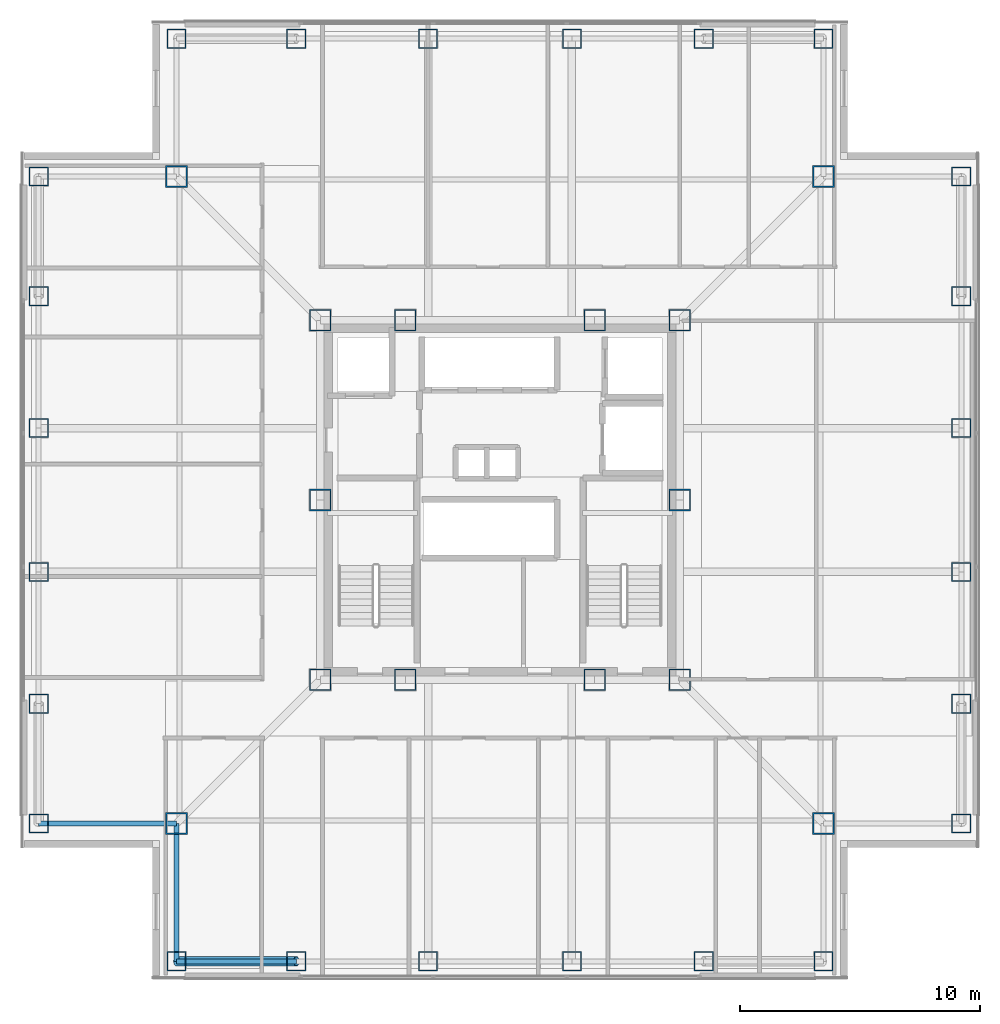
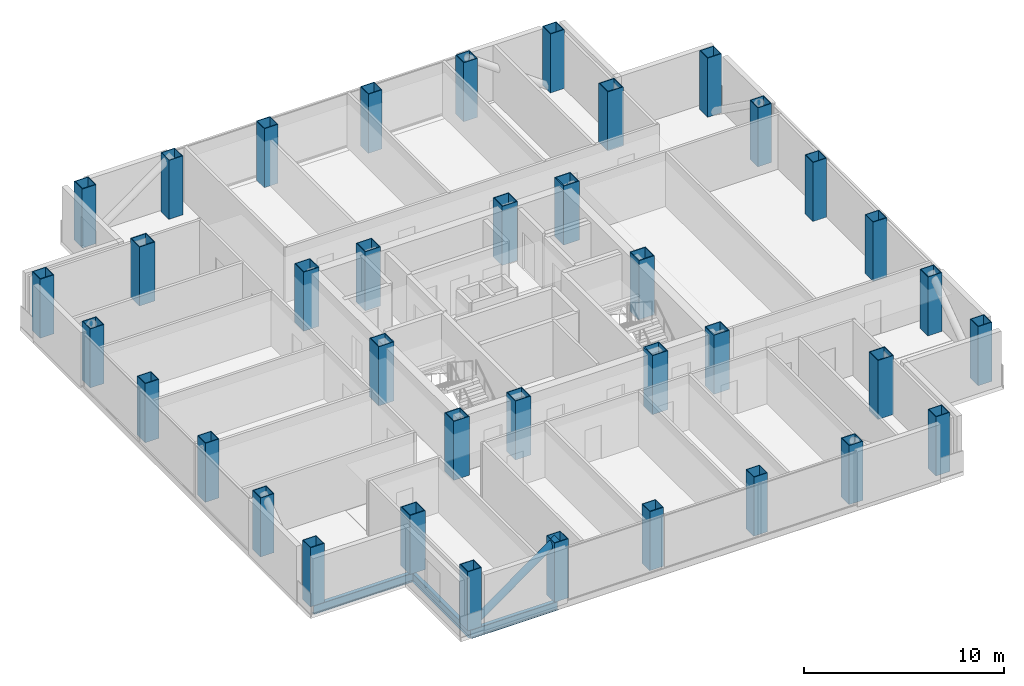
# One storey, part 1 of 17: 38 columns, 3 beams, 1 member.
"""IFC4 building model written with IfcOpenShell, lengths in metres."""

from ifc_helpers import new_model, si_unit, direction, frame, origin, origin_2d, place, context, subcontext, project, spatial, hollow_rectangle, hollow_circle, i_section, extrude, material, material_profile, profile_set, type_object, element, save


model = new_model("IFC4")

# Units and contexts
model_context = context("Model", 3, precision=1e-05, world=origin(), true_north=direction((0.0, 1.0)))
body_context = subcontext(model_context, "Body", "Model", "MODEL_VIEW")
ifc_project = project(units=[si_unit("LENGTHUNIT", "METRE"), si_unit("AREAUNIT", "SQUARE_METRE"), si_unit("VOLUMEUNIT", "CUBIC_METRE"), si_unit("PLANEANGLEUNIT", "RADIAN"), si_unit("MASSUNIT", "GRAM", prefix="KILO")], contexts=[model_context])

# Site, building, storey
site_placement = place(None, origin())
site = spatial("IfcSite", under=ifc_project, at=site_placement, CompositionType="ELEMENT")
building_placement = place(site_placement, origin())
building = spatial("IfcBuilding", under=site, at=building_placement, Name="Trevonay Congress Spire", CompositionType="ELEMENT")
storey_placement = place(building_placement, frame((0.0, 0.0, 169.800048828125)))
storey = spatial("IfcBuildingStorey", under=building, at=storey_placement, Name="L43", CompositionType="ELEMENT", Elevation=169.800048828125)

# Columns
ifc_material_1 = material(Name="Steel ASTM A572 Grade 50", Category="steel")
ifc_material_profile_1 = material_profile(ifc_material_1, hollow_rectangle(XDim=0.89990234375, YDim=0.89990234375, WallThickness=0.044921875, at=origin_2d()), Name="BOX 900x900x45")
ifc_profile_set_1 = profile_set([ifc_material_profile_1], Name="Steel ASTM A572 Grade 50")
column_type_1 = type_object("IfcColumnType", Name="COL-CORE-BOX900", PredefinedType="COLUMN", material=ifc_profile_set_1)
for number, where, z_axis, x_axis, name in (
    (1, (-7.5, -7.5, 0.0), (0.0, 0.0, 1.0), (1.0, 0.0, 0.0), "L43 column C04 at CC-SW"),
    (2, (-3.949951171875, -7.5, 0.0), (0.0, 0.0, 1.0), (1.0, 0.0, 0.0), "L43 column C04 at CC-SMW"),
    (3, (3.949951171875, -7.5, 0.0), (0.0, 0.0, 1.0), (1.0, 0.0, 0.0), "L43 column C04 at CC-SME"),
    (4, (7.5, -7.5, 0.0), (0.0, 0.0, 1.0), (1.0, 0.0, 0.0), "L43 column C04 at CC-SE"),
    (5, (7.5, 0.0, 0.0), (0.0, 0.0, 1.0), (1.0, 0.0, 0.0), "L43 column C04 at CC-E"),
    (6, (7.5, 7.5, 0.0), (0.0, 0.0, 1.0), (1.0, 0.0, 0.0), "L43 column C04 at CC-NE"),
    (7, (3.949951171875, 7.5, 0.0), (0.0, 0.0, 1.0), (1.0, 0.0, 0.0), "L43 column C04 at CC-NME"),
    (8, (-3.949951171875, 7.5, 0.0), (0.0, 0.0, 1.0), (1.0, 0.0, 0.0), "L43 column C04 at CC-NMW"),
    (9, (-7.5, 7.5, 0.0), (0.0, 0.0, 1.0), (1.0, 0.0, 0.0), "L43 column C04 at CC-NW"),
    (10, (-7.5, 0.0, 0.0), (0.0, 0.0, 1.0), (1.0, 0.0, 0.0), "L43 column C04 at CC-W"),
):
    element("IfcColumn", number, at=place(storey_placement, frame(where, z_axis=z_axis, x_axis=x_axis)), inside=storey, type_object=column_type_1, Name=name, PredefinedType="COLUMN", context=body_context, shape_type="SweptSolid", body=[
        extrude(hollow_rectangle(XDim=0.89990234375, YDim=0.89990234375, WallThickness=0.044921875, at=origin_2d()), origin(), (0.0, 0.0, 1.0), 3.599853515625),
    ])
ifc_material_profile_2 = material_profile(ifc_material_1, hollow_rectangle(XDim=0.800048828125, YDim=0.800048828125, WallThickness=0.0400390625, at=origin_2d()), Name="BOX 800x800x40")
ifc_profile_set_2 = profile_set([ifc_material_profile_2], Name="Steel ASTM A572 Grade 50")
column_type_2 = type_object("IfcColumnType", Name="COL-TUBE-BOX800", PredefinedType="COLUMN", material=ifc_profile_set_2)
for number, where, z_axis, x_axis, name in (
    (11, (-13.5, -19.25, 0.0), (0.0, 0.0, 1.0), (1.0, 0.0, 0.0), "L43 column C16 at TS-1"),
    (12, (-13.5, 19.25, 0.0), (0.0, 0.0, 1.0), (1.0, 0.0, 0.0), "L43 column C16 at TN-1"),
    (13, (-19.25, -13.5, 0.0), (0.0, 0.0, 1.0), (1.0, 0.0, 0.0), "L43 column C16 at TW-1"),
    (14, (19.25, -13.5, 0.0), (0.0, 0.0, 1.0), (1.0, 0.0, 0.0), "L43 column C16 at TE-1"),
    (15, (-8.5, -19.25, 0.0), (0.0, 0.0, 1.0), (1.0, 0.0, 0.0), "L43 column C16 at TS-2"),
    (16, (-8.5, 19.25, 0.0), (0.0, 0.0, 1.0), (1.0, 0.0, 0.0), "L43 column C16 at TN-2"),
    (17, (-19.25, -8.5, 0.0), (0.0, 0.0, 1.0), (1.0, 0.0, 0.0), "L43 column C16 at TW-2"),
    (18, (19.25, -8.5, 0.0), (0.0, 0.0, 1.0), (1.0, 0.0, 0.0), "L43 column C16 at TE-2"),
    (19, (-3.0, -19.25, 0.0), (0.0, 0.0, 1.0), (1.0, 0.0, 0.0), "L43 column C16 at TS-3"),
    (20, (-3.0, 19.25, 0.0), (0.0, 0.0, 1.0), (1.0, 0.0, 0.0), "L43 column C16 at TN-3"),
    (21, (-19.25, -3.0, 0.0), (0.0, 0.0, 1.0), (1.0, 0.0, 0.0), "L43 column C16 at TW-3"),
    (22, (19.25, -3.0, 0.0), (0.0, 0.0, 1.0), (1.0, 0.0, 0.0), "L43 column C16 at TE-3"),
    (23, (3.0, -19.25, 0.0), (0.0, 0.0, 1.0), (1.0, 0.0, 0.0), "L43 column C16 at TS-4"),
    (24, (3.0, 19.25, 0.0), (0.0, 0.0, 1.0), (1.0, 0.0, 0.0), "L43 column C16 at TN-4"),
    (25, (-19.25, 3.0, 0.0), (0.0, 0.0, 1.0), (1.0, 0.0, 0.0), "L43 column C16 at TW-4"),
    (26, (19.25, 3.0, 0.0), (0.0, 0.0, 1.0), (1.0, 0.0, 0.0), "L43 column C16 at TE-4"),
    (27, (8.5, -19.25, 0.0), (0.0, 0.0, 1.0), (1.0, 0.0, 0.0), "L43 column C16 at TS-5"),
    (28, (8.5, 19.25, 0.0), (0.0, 0.0, 1.0), (1.0, 0.0, 0.0), "L43 column C16 at TN-5"),
    (29, (-19.25, 8.5, 0.0), (0.0, 0.0, 1.0), (1.0, 0.0, 0.0), "L43 column C16 at TW-5"),
    (30, (19.25, 8.5, 0.0), (0.0, 0.0, 1.0), (1.0, 0.0, 0.0), "L43 column C16 at TE-5"),
    (31, (13.5, -19.25, 0.0), (0.0, 0.0, 1.0), (1.0, 0.0, 0.0), "L43 column C16 at TS-6"),
    (32, (13.5, 19.25, 0.0), (0.0, 0.0, 1.0), (1.0, 0.0, 0.0), "L43 column C16 at TN-6"),
    (33, (-19.25, 13.5, 0.0), (0.0, 0.0, 1.0), (1.0, 0.0, 0.0), "L43 column C16 at TW-6"),
    (34, (19.25, 13.5, 0.0), (0.0, 0.0, 1.0), (1.0, 0.0, 0.0), "L43 column C16 at TE-6"),
):
    element("IfcColumn", number, at=place(storey_placement, frame(where, z_axis=z_axis, x_axis=x_axis)), inside=storey, type_object=column_type_2, Name=name, PredefinedType="COLUMN", context=body_context, shape_type="SweptSolid", body=[
        extrude(hollow_rectangle(XDim=0.800048828125, YDim=0.800048828125, WallThickness=0.0400390625, at=origin_2d()), origin(), (0.0, 0.0, 1.0), 3.599853515625),
    ])
ifc_material_profile_3 = material_profile(ifc_material_1, hollow_rectangle(XDim=0.89990234375, YDim=0.89990234375, WallThickness=0.044921875, at=origin_2d()), Name="BOX 900x900x45")
ifc_profile_set_3 = profile_set([ifc_material_profile_3], Name="Steel ASTM A572 Grade 50")
column_type_3 = type_object("IfcColumnType", Name="COL-TUBE-BOX900", PredefinedType="COLUMN", material=ifc_profile_set_3)
for number, where, z_axis, x_axis, name in (
    (35, (-13.5, -13.5, 0.0), (0.0, 0.0, 1.0), (1.0, 0.0, 0.0), "L43 column C15 at NC-SW"),
    (36, (13.5, -13.5, 0.0), (0.0, 0.0, 1.0), (1.0, 0.0, 0.0), "L43 column C15 at NC-SE"),
    (37, (13.5, 13.5, 0.0), (0.0, 0.0, 1.0), (1.0, 0.0, 0.0), "L43 column C15 at NC-NE"),
    (38, (-13.5, 13.5, 0.0), (0.0, 0.0, 1.0), (1.0, 0.0, 0.0), "L43 column C15 at NC-NW"),
):
    element("IfcColumn", number, at=place(storey_placement, frame(where, z_axis=z_axis, x_axis=x_axis)), inside=storey, type_object=column_type_3, Name=name, PredefinedType="COLUMN", context=body_context, shape_type="SweptSolid", body=[
        extrude(hollow_rectangle(XDim=0.89990234375, YDim=0.89990234375, WallThickness=0.044921875, at=origin_2d()), origin(), (0.0, 0.0, 1.0), 3.599853515625),
    ])

# Beams
ifc_material_profile_4 = material_profile(ifc_material_1, i_section(OverallWidth=0.2119140625, OverallDepth=0.5439453125, WebThickness=0.01318359375, FlangeThickness=0.021240234375, FilletRadius=0.014892578125, at=origin_2d()), Name="W530x123")
ifc_profile_set_4 = profile_set([ifc_material_profile_4], Name="Steel ASTM A572 Grade 50")
beam_type = type_object("IfcBeamType", Name="BM-RING-W530X123", PredefinedType="BEAM", material=ifc_profile_set_4)
beam_placement = place(storey_placement, frame((-13.5, -19.25, -0.511962890625), z_axis=(1.0, 0.0, 0.0), x_axis=(0.0, 1.0, 0.0)))
element("IfcBeam", 39, at=beam_placement, inside=storey, type_object=beam_type, Name="L43 structural beam BM-L43-PS1", PredefinedType="BEAM", context=body_context, shape_type="SweptSolid", body=[
    extrude(i_section(OverallWidth=0.2119140625, OverallDepth=0.5439453125, WebThickness=0.01318359375, FlangeThickness=0.021240234375, FilletRadius=0.014892578125, at=origin_2d()), origin(), (0.0, 0.0, 1.0), 5.0),
])
for number, where, z_axis, x_axis, name in (
    (40, (-13.5, -19.25, -0.511962890625), (0.0, 1.0, 0.0), (-1.0, 0.0, 0.0), "L43 structural beam BM-L43-N1SW"),
    (41, (-19.25, -13.5, -0.511962890625), (1.0, 0.0, 0.0), (0.0, 1.0, 0.0), "L43 structural beam BM-L43-N2SW"),
):
    element("IfcBeam", number, at=place(storey_placement, frame(where, z_axis=z_axis, x_axis=x_axis)), inside=storey, type_object=beam_type, Name=name, PredefinedType="BEAM", context=body_context, shape_type="SweptSolid", body=[
        extrude(i_section(OverallWidth=0.2119140625, OverallDepth=0.5439453125, WebThickness=0.01318359375, FlangeThickness=0.021240234375, FilletRadius=0.014892578125, at=origin_2d()), origin(), (0.0, 0.0, 1.0), 5.75),
    ])

# Member
ifc_material_2 = material(Name="Steel ASTM A500 Grade C", Category="steel")
ifc_material_profile_5 = material_profile(ifc_material_2, hollow_circle(Radius=0.203125, WallThickness=0.02001953125, at=origin_2d()), Name="CHS 406.4x20")
ifc_profile_set_5 = profile_set([ifc_material_profile_5], Name="Steel ASTM A500 Grade C")
member_type = type_object("IfcMemberType", Name="MBR-TUBE-CHS406", PredefinedType="BRACE", material=ifc_profile_set_5)
member_placement = place(storey_placement, frame((-13.5, -19.25, -0.050048828125), z_axis=(0.811526825515, 0.0, 0.584315164504), x_axis=(0.0, 1.0, 0.0)))
element("IfcMember", 42, at=member_placement, inside=storey, type_object=member_type, Name="L43 perimeter braced-tube diagonal S0", PredefinedType="BRACE", context=body_context, shape_type="SweptSolid", body=[
    extrude(hollow_circle(Radius=0.203125, WallThickness=0.02001953125, at=origin_2d()), origin(), (0.0, 0.0, 1.0), 6.1611328125),
])

save(model, "model.ifc")
